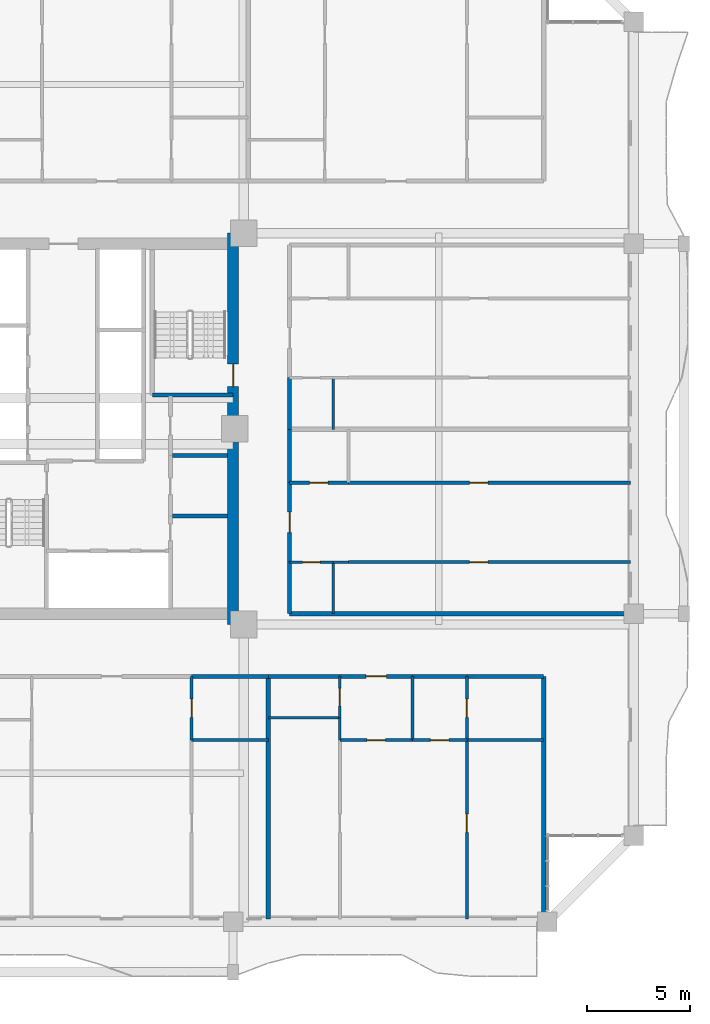
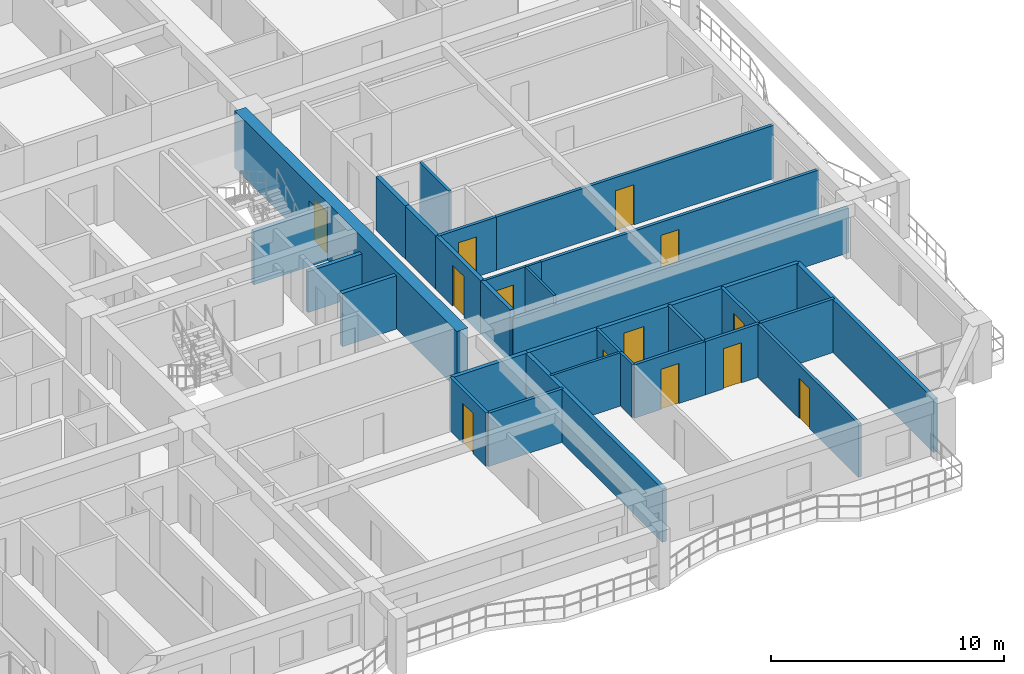
# One storey, part 17 of 25: 34 walls, 13 doors, 13 openings.
"""IFC4 building model written with IfcOpenShell, lengths in metres."""

from ifc_helpers import new_model, si_unit, direction, frame, frame_2d, origin, place, context, subcontext, project, spatial, rectangle, extrude, source, transform, mapped, material, layer, layer_set, type_object, element, fill, save


model = new_model("IFC4")

# Units and contexts
model_context = context("Model", 3, precision=1e-05, world=origin(), true_north=direction((0.0, 1.0)))
body_context = subcontext(model_context, "Body", "Model", "MODEL_VIEW")
ifc_project = project(units=[si_unit("LENGTHUNIT", "METRE"), si_unit("AREAUNIT", "SQUARE_METRE"), si_unit("VOLUMEUNIT", "CUBIC_METRE"), si_unit("PLANEANGLEUNIT", "RADIAN"), si_unit("MASSUNIT", "GRAM", prefix="KILO")], contexts=[model_context])

# Site, building, storey
site_placement = place(None, origin())
site = spatial("IfcSite", under=ifc_project, at=site_placement, CompositionType="ELEMENT")
building_placement = place(site_placement, origin())
building = spatial("IfcBuilding", under=site, at=building_placement, Name="Saelheon Loggia Tower", CompositionType="ELEMENT")
storey_placement = place(building_placement, frame((0.0, 0.0, 80.85009765625)))
storey = spatial("IfcBuildingStorey", under=building, at=storey_placement, Name="L25", CompositionType="ELEMENT", Elevation=80.85009765625)

# Wall, opening, door
ifc_material_1 = material(Name="Concrete C50/60", Category="concrete")
ifc_layer_1 = layer(ifc_material_1, 0.550048828125)
ifc_layer_set_1 = layer_set([ifc_layer_1], Name="Concrete C50/60")
wall_type_1 = type_object("IfcWallType", Name="Wall_CoreShear_550", PredefinedType="SHEAR", material=ifc_layer_set_1)
wall_1_placement = place(storey_placement, frame((44.5, 17.47998046875, 0.0), z_axis=(0.0, 0.0, 1.0), x_axis=(0.0, 1.0, 0.0)))
wall_1 = element("IfcWall", 1, at=wall_1_placement, inside=storey, type_object=wall_type_1, Name="L25 Core Shear Wall East", PredefinedType="SHEAR", context=body_context, shape_type="SweptSolid", body=[
    extrude(rectangle(XDim=19.0400390625, YDim=0.550048828125, at=frame_2d((9.52001953125, 0.0))), origin(), (0.0, 0.0, 1.0), 3.0),
])
opening_1_placement = place(wall_1_placement, frame((12.670166015625, 0.0, 0.0), z_axis=(0.0, 0.0, 1.0), x_axis=(-1.0, 0.0, 0.0)))
opening_1 = element("IfcOpeningElement", 2, at=opening_1_placement, cuts=wall_1, Name="Opening D-FD2", PredefinedType="OPENING", context=body_context, shape_type="SweptSolid", body=[
    extrude(rectangle(XDim=1.10009765625, YDim=2.14990234375, at=frame_2d((0.550048828125, 1.074951171875))), frame((0.0, 0.287109375, 0.0), z_axis=(0.0, -1.0, 0.0), x_axis=(1.0, 0.0, 0.0)), (0.0, 0.0, 1.0), 0.573974609375),
])
ifc_material_2 = material(Name="Galvanised Steel Fire Door", Category="steel")
door_type_1 = type_object("IfcDoorType", Name="Door_Fire_FD60_1100", OperationType="NOTDEFINED", PredefinedType="DOOR", material=ifc_material_2)
shared_shape_1 = source(origin(), body_context, "Body", "SweptSolid", [
    extrude(rectangle(XDim=1.10009765625, YDim=2.14990234375, at=frame_2d((0.550048828125, 1.074951171875))), frame((0.0, 0.02490234375, 0.0), z_axis=(0.0, -1.0, 0.0), x_axis=(1.0, 0.0, 0.0)), (0.0, 0.0, 1.0), 0.050048828125),
])
door_1_placement = place(opening_1_placement, origin())
door_1 = element("IfcDoor", 3, at=door_1_placement, inside=storey, type_object=door_type_1, Name="L25 Stair ST2 Corridor Door", OperationType="SINGLE_SWING_RIGHT", OverallHeight=2.14990234375, OverallWidth=1.10009765625, PredefinedType="DOOR", context=body_context, shape_type="MappedRepresentation", body=[
    mapped(shared_shape_1, transform((0.0, 0.0, 0.0), scale=1.0)),
])
fill(opening_1, door_1)

# Wall
ifc_material_3 = material(Name="Lightweight Autoclaved Aerated Concrete Block and Acoustic Gypsum", Category="concrete")
ifc_layer_2 = layer(ifc_material_3, 0.14990234375)
ifc_layer_set_2 = layer_set([ifc_layer_2], Name="Lightweight Autoclaved Aerated Concrete Block and Acoustic Gypsum")
wall_type_2 = type_object("IfcWallType", Name="Wall_Part_150", PredefinedType="PARTITIONING", material=ifc_layer_set_2)
wall_2_placement = place(storey_placement, frame((42.47998046875, 11.85009765625, 0.0), z_axis=(0.0, 0.0, 1.0), x_axis=(1.0, 0.0, 0.0)))
element("IfcWall", 4, at=wall_2_placement, inside=storey, type_object=wall_type_2, Name="L25 S Partition V29", PredefinedType="PARTITIONING", context=body_context, shape_type="SweptSolid", body=[
    extrude(rectangle(XDim=3.735595703125, YDim=0.14990234375, at=frame_2d((1.86767578125, 0.0))), origin(), (0.0, 0.0, 1.0), 2.789794921875),
])

# Wall, opening, door
wall_3_placement = place(storey_placement, frame((42.47998046875, 14.949951171875, 0.0), z_axis=(0.0, 0.0, 1.0), x_axis=(0.0, -1.0, 0.0)))
wall_3 = element("IfcWall", 5, at=wall_3_placement, inside=storey, type_object=wall_type_2, Name="L25 S Partition U33", PredefinedType="PARTITIONING", context=body_context, shape_type="SweptSolid", body=[
    extrude(rectangle(XDim=3.099853515625, YDim=0.14990234375, at=frame_2d((1.5498046875, 0.0))), origin(), (0.0, 0.0, 1.0), 2.789794921875),
])
opening_2_placement = place(wall_3_placement, frame((1.10009765625, 0.0, 0.0)))
opening_2 = element("IfcOpeningElement", 6, at=opening_2_placement, cuts=wall_3, Name="Opening D-IN2", PredefinedType="OPENING", context=body_context, shape_type="SweptSolid", body=[
    extrude(rectangle(XDim=0.89990234375, YDim=2.10009765625, at=frame_2d((0.449951171875, 1.050048828125))), frame((0.0, 0.0869140625, 0.0), z_axis=(0.0, -1.0, 0.0), x_axis=(1.0, 0.0, 0.0)), (0.0, 0.0, 1.0), 0.173828125),
])
ifc_material_4 = material(Name="Engineered Oak Flush Door", Category="timber")
door_type_2 = type_object("IfcDoorType", Name="Door_Int_900", OperationType="NOTDEFINED", PredefinedType="DOOR", material=ifc_material_4)
shared_shape_2 = source(origin(), body_context, "Body", "SweptSolid", [
    extrude(rectangle(XDim=0.89990234375, YDim=2.10009765625, at=frame_2d((0.449951171875, 1.050048828125))), frame((0.0, 0.02490234375, 0.0), z_axis=(0.0, -1.0, 0.0), x_axis=(1.0, 0.0, 0.0)), (0.0, 0.0, 1.0), 0.050048828125),
])
door_2_placement = place(opening_2_placement, origin())
door_2 = element("IfcDoor", 7, at=door_2_placement, inside=storey, type_object=door_type_2, Name="Unit U03 Private Study Door", OperationType="SINGLE_SWING_RIGHT", OverallHeight=2.10009765625, OverallWidth=0.89990234375, PredefinedType="DOOR", context=body_context, shape_type="MappedRepresentation", body=[
    mapped(shared_shape_2, transform((0.0, 0.0, 0.0), scale=1.0)),
])
fill(opening_2, door_2)

# Wall
wall_4_placement = place(storey_placement, frame((53.234375, 14.949951171875, 0.0), z_axis=(0.0, 0.0, 1.0), x_axis=(0.0, -1.0, 0.0)))
element("IfcWall", 8, at=wall_4_placement, inside=storey, type_object=wall_type_2, Name="L25 S Partition U39", PredefinedType="PARTITIONING", context=body_context, shape_type="SweptSolid", body=[
    extrude(rectangle(XDim=3.099853515625, YDim=0.14990234375, at=frame_2d((1.5498046875, 0.0))), origin(), (0.0, 0.0, 1.0), 2.789794921875),
])

# Wall, opening, door
wall_5_placement = place(storey_placement, frame((49.70068359375, 11.85009765625, 0.0), z_axis=(0.0, 0.0, 1.0), x_axis=(1.0, 0.0, 0.0)))
wall_5 = element("IfcWall", 9, at=wall_5_placement, inside=storey, type_object=wall_type_2, Name="L25 S Partition V40", PredefinedType="PARTITIONING", context=body_context, shape_type="SweptSolid", body=[
    extrude(rectangle(XDim=3.53369140625, YDim=0.14990234375, at=frame_2d((1.766845703125, 0.0))), origin(), (0.0, 0.0, 1.0), 2.789794921875),
])
opening_3_placement = place(wall_5_placement, frame((1.31689453125, 0.0, 0.0)))
opening_3 = element("IfcOpeningElement", 10, at=opening_3_placement, cuts=wall_5, Name="Opening D-IN2", PredefinedType="OPENING", context=body_context, shape_type="SweptSolid", body=[
    extrude(rectangle(XDim=0.89990234375, YDim=2.10009765625, at=frame_2d((0.449951171875, 1.050048828125))), frame((0.0, 0.0869140625, 0.0), z_axis=(0.0, -1.0, 0.0), x_axis=(1.0, 0.0, 0.0)), (0.0, 0.0, 1.0), 0.173828125),
])
door_3_placement = place(opening_3_placement, origin())
door_3 = element("IfcDoor", 11, at=door_3_placement, inside=storey, type_object=door_type_2, Name="Unit U04 Living Door", OperationType="SINGLE_SWING_LEFT", OverallHeight=2.10009765625, OverallWidth=0.89990234375, PredefinedType="DOOR", context=body_context, shape_type="MappedRepresentation", body=[
    mapped(shared_shape_2, transform((0.0, 0.0, 0.0), scale=1.0)),
])
fill(opening_3, door_3)

wall_6_placement = place(storey_placement, frame((53.234375, 11.85009765625, 0.0), z_axis=(0.0, 0.0, 1.0), x_axis=(1.0, 0.0, 0.0)))
wall_6 = element("IfcWall", 12, at=wall_6_placement, inside=storey, type_object=wall_type_2, Name="L25 S Partition V41", PredefinedType="PARTITIONING", context=body_context, shape_type="SweptSolid", body=[
    extrude(rectangle(XDim=2.650146484375, YDim=0.14990234375, at=frame_2d((1.3251953125, 0.0))), origin(), (0.0, 0.0, 1.0), 2.789794921875),
])
opening_4_placement = place(wall_6_placement, frame((0.875, 0.0, 0.0)))
opening_4 = element("IfcOpeningElement", 13, at=opening_4_placement, cuts=wall_6, Name="Opening D-IN2", PredefinedType="OPENING", context=body_context, shape_type="SweptSolid", body=[
    extrude(rectangle(XDim=0.89990234375, YDim=2.10009765625, at=frame_2d((0.449951171875, 1.050048828125))), frame((0.0, 0.0869140625, 0.0), z_axis=(0.0, -1.0, 0.0), x_axis=(1.0, 0.0, 0.0)), (0.0, 0.0, 1.0), 0.173828125),
])
door_4_placement = place(opening_4_placement, origin())
door_4 = element("IfcDoor", 14, at=door_4_placement, inside=storey, type_object=door_type_2, Name="Unit U04 Private Study Door", OperationType="SINGLE_SWING_RIGHT", OverallHeight=2.10009765625, OverallWidth=0.89990234375, PredefinedType="DOOR", context=body_context, shape_type="MappedRepresentation", body=[
    mapped(shared_shape_2, transform((0.0, 0.0, 0.0), scale=1.0)),
])
fill(opening_4, door_4)

# Wall
wall_7_placement = place(storey_placement, frame((55.884521484375, 11.85009765625, 0.0), z_axis=(0.0, 0.0, 1.0), x_axis=(1.0, 0.0, 0.0)))
element("IfcWall", 15, at=wall_7_placement, inside=storey, type_object=wall_type_2, Name="L25 S Partition V44", PredefinedType="PARTITIONING", context=body_context, shape_type="SweptSolid", body=[
    extrude(rectangle(XDim=3.735595703125, YDim=0.14990234375, at=frame_2d((1.86767578125, 0.0))), origin(), (0.0, 0.0, 1.0), 2.789794921875),
])

# Wall, opening, door
wall_8_placement = place(storey_placement, frame((55.884521484375, 14.949951171875, 0.0), z_axis=(0.0, 0.0, 1.0), x_axis=(0.0, -1.0, 0.0)))
wall_8 = element("IfcWall", 16, at=wall_8_placement, inside=storey, type_object=wall_type_2, Name="L25 S Partition U48", PredefinedType="PARTITIONING", context=body_context, shape_type="SweptSolid", body=[
    extrude(rectangle(XDim=3.099853515625, YDim=0.14990234375, at=frame_2d((1.5498046875, 0.0))), origin(), (0.0, 0.0, 1.0), 2.789794921875),
])
opening_5_placement = place(wall_8_placement, frame((1.10009765625, 0.0, 0.0)))
opening_5 = element("IfcOpeningElement", 17, at=opening_5_placement, cuts=wall_8, Name="Opening D-IN2", PredefinedType="OPENING", context=body_context, shape_type="SweptSolid", body=[
    extrude(rectangle(XDim=0.89990234375, YDim=2.10009765625, at=frame_2d((0.449951171875, 1.050048828125))), frame((0.0, 0.0869140625, 0.0), z_axis=(0.0, -1.0, 0.0), x_axis=(1.0, 0.0, 0.0)), (0.0, 0.0, 1.0), 0.173828125),
])
door_5_placement = place(opening_5_placement, origin())
door_5 = element("IfcDoor", 18, at=door_5_placement, inside=storey, type_object=door_type_2, Name="Unit U04 Kitchen Door", OperationType="SINGLE_SWING_LEFT", OverallHeight=2.10009765625, OverallWidth=0.89990234375, PredefinedType="DOOR", context=body_context, shape_type="MappedRepresentation", body=[
    mapped(shared_shape_2, transform((0.0, 0.0, 0.0), scale=1.0)),
])
fill(opening_5, door_5)

wall_9_placement = place(storey_placement, frame((55.884521484375, 11.85009765625, 0.0), z_axis=(0.0, 0.0, 1.0), x_axis=(0.0, -1.0, 0.0)))
wall_9 = element("IfcWall", 19, at=wall_9_placement, inside=storey, type_object=wall_type_2, Name="L25 S Partition U49", PredefinedType="PARTITIONING", context=body_context, shape_type="SweptSolid", body=[
    extrude(rectangle(XDim=8.7001953125, YDim=0.14990234375, at=frame_2d((4.35009765625, 0.0))), origin(), (0.0, 0.0, 1.0), 2.789794921875),
])
opening_6_placement = place(wall_9_placement, frame((3.594970703125, 0.0, 0.0)))
opening_6 = element("IfcOpeningElement", 20, at=opening_6_placement, cuts=wall_9, Name="Opening D-IN2", PredefinedType="OPENING", context=body_context, shape_type="SweptSolid", body=[
    extrude(rectangle(XDim=0.89990234375, YDim=2.10009765625, at=frame_2d((0.449951171875, 1.050048828125))), frame((0.0, 0.0869140625, 0.0), z_axis=(0.0, -1.0, 0.0), x_axis=(1.0, 0.0, 0.0)), (0.0, 0.0, 1.0), 0.173828125),
])
door_6_placement = place(opening_6_placement, origin())
door_6 = element("IfcDoor", 21, at=door_6_placement, inside=storey, type_object=door_type_2, Name="Unit U04 Bedroom 1 Door", OperationType="SINGLE_SWING_RIGHT", OverallHeight=2.10009765625, OverallWidth=0.89990234375, PredefinedType="DOOR", context=body_context, shape_type="MappedRepresentation", body=[
    mapped(shared_shape_2, transform((0.0, 0.0, 0.0), scale=1.0)),
])
fill(opening_6, door_6)

wall_10_placement = place(storey_placement, frame((50.110107421875, 20.512939453125, 0.0), z_axis=(0.0, 0.0, 1.0), x_axis=(1.0, 0.0, 0.0)))
wall_10 = element("IfcWall", 22, at=wall_10_placement, inside=storey, type_object=wall_type_2, Name="L25 E Partition U10", PredefinedType="PARTITIONING", context=body_context, shape_type="SweptSolid", body=[
    extrude(rectangle(XDim=13.739990234375, YDim=0.14990234375, at=frame_2d((6.8701171875, 0.0))), origin(), (0.0, 0.0, 1.0), 2.789794921875),
])
opening_7_placement = place(wall_10_placement, frame((5.905029296875, 0.0, 0.0)))
opening_7 = element("IfcOpeningElement", 23, at=opening_7_placement, cuts=wall_10, Name="Opening D-IN2", PredefinedType="OPENING", context=body_context, shape_type="SweptSolid", body=[
    extrude(rectangle(XDim=0.89990234375, YDim=2.10009765625, at=frame_2d((0.449951171875, 1.050048828125))), frame((0.0, 0.0869140625, 0.0), z_axis=(0.0, -1.0, 0.0), x_axis=(1.0, 0.0, 0.0)), (0.0, 0.0, 1.0), 0.173828125),
])
door_7_placement = place(opening_7_placement, origin())
door_7 = element("IfcDoor", 24, at=door_7_placement, inside=storey, type_object=door_type_2, Name="Unit U10 Kitchen Door", OperationType="SINGLE_SWING_LEFT", OverallHeight=2.10009765625, OverallWidth=0.89990234375, PredefinedType="DOOR", context=body_context, shape_type="MappedRepresentation", body=[
    mapped(shared_shape_2, transform((0.0, 0.0, 0.0), scale=1.0)),
])
fill(opening_7, door_7)

wall_11_placement = place(storey_placement, frame((47.25, 24.375, 0.0), z_axis=(0.0, 0.0, 1.0), x_axis=(1.0, 0.0, 0.0)))
wall_11 = element("IfcWall", 25, at=wall_11_placement, inside=storey, type_object=wall_type_2, Name="L25 E Partition U11", PredefinedType="PARTITIONING", context=body_context, shape_type="SweptSolid", body=[
    extrude(rectangle(XDim=2.860107421875, YDim=0.14990234375, at=frame_2d((1.43017578125, 0.0))), origin(), (0.0, 0.0, 1.0), 2.789794921875),
])
opening_8_placement = place(wall_11_placement, frame((0.97998046875, 0.0, 0.0)))
opening_8 = element("IfcOpeningElement", 26, at=opening_8_placement, cuts=wall_11, Name="Opening D-IN2", PredefinedType="OPENING", context=body_context, shape_type="SweptSolid", body=[
    extrude(rectangle(XDim=0.89990234375, YDim=2.10009765625, at=frame_2d((0.449951171875, 1.050048828125))), frame((0.0, 0.0869140625, 0.0), z_axis=(0.0, -1.0, 0.0), x_axis=(1.0, 0.0, 0.0)), (0.0, 0.0, 1.0), 0.173828125),
])
door_8_placement = place(opening_8_placement, origin())
door_8 = element("IfcDoor", 27, at=door_8_placement, inside=storey, type_object=door_type_2, Name="Unit U10 Dressing Closet Door", OperationType="SINGLE_SWING_RIGHT", OverallHeight=2.10009765625, OverallWidth=0.89990234375, PredefinedType="DOOR", context=body_context, shape_type="MappedRepresentation", body=[
    mapped(shared_shape_2, transform((0.0, 0.0, 0.0), scale=1.0)),
])
fill(opening_8, door_8)

wall_12_placement = place(storey_placement, frame((50.110107421875, 24.375, 0.0), z_axis=(0.0, 0.0, 1.0), x_axis=(1.0, 0.0, 0.0)))
wall_12 = element("IfcWall", 28, at=wall_12_placement, inside=storey, type_object=wall_type_2, Name="L25 E Partition U12", PredefinedType="PARTITIONING", context=body_context, shape_type="SweptSolid", body=[
    extrude(rectangle(XDim=13.739990234375, YDim=0.14990234375, at=frame_2d((6.8701171875, 0.0))), origin(), (0.0, 0.0, 1.0), 2.789794921875),
])
opening_9_placement = place(wall_12_placement, frame((5.905029296875, 0.0, 0.0)))
opening_9 = element("IfcOpeningElement", 29, at=opening_9_placement, cuts=wall_12, Name="Opening D-IN2", PredefinedType="OPENING", context=body_context, shape_type="SweptSolid", body=[
    extrude(rectangle(XDim=0.89990234375, YDim=2.10009765625, at=frame_2d((0.449951171875, 1.050048828125))), frame((0.0, 0.0869140625, 0.0), z_axis=(0.0, -1.0, 0.0), x_axis=(1.0, 0.0, 0.0)), (0.0, 0.0, 1.0), 0.173828125),
])
door_9_placement = place(opening_9_placement, origin())
door_9 = element("IfcDoor", 30, at=door_9_placement, inside=storey, type_object=door_type_2, Name="Unit U10 Bedroom 1 Door", OperationType="SINGLE_SWING_LEFT", OverallHeight=2.10009765625, OverallWidth=0.89990234375, PredefinedType="DOOR", context=body_context, shape_type="MappedRepresentation", body=[
    mapped(shared_shape_2, transform((0.0, 0.0, 0.0), scale=1.0)),
])
fill(opening_9, door_9)

# Walls
ifc_material_5 = material(Name="Double Acoustic Stud and Fireboard Partition", Category="gypsum")
ifc_layer_3 = layer(ifc_material_5, 0.199951171875)
ifc_layer_set_3 = layer_set([ifc_layer_3], Name="Double Acoustic Stud and Fireboard Partition")
wall_type_3 = type_object("IfcWallType", Name="Wall_Party_200", PredefinedType="PARTITIONING", material=ifc_layer_set_3)
wall_13_placement = place(storey_placement, frame((59.6201171875, 14.949951171875, 0.0), z_axis=(0.0, 0.0, 1.0), x_axis=(0.0, -1.0, 0.0)))
element("IfcWall", 31, at=wall_13_placement, inside=storey, type_object=wall_type_3, Name="L25 S Partition U02", PredefinedType="PARTITIONING", context=body_context, shape_type="SweptSolid", body=[
    extrude(rectangle(XDim=11.800048828125, YDim=0.199951171875, at=frame_2d((5.89990234375, 0.0))), origin(), (0.0, 0.0, 1.0), 2.789794921875),
])
wall_14_placement = place(storey_placement, frame((42.47998046875, 14.949951171875, 0.0), z_axis=(0.0, 0.0, 1.0), x_axis=(1.0, 0.0, 0.0)))
element("IfcWall", 32, at=wall_14_placement, inside=storey, type_object=wall_type_3, Name="L25 S Partition V27", PredefinedType="PARTITIONING", context=body_context, shape_type="SweptSolid", body=[
    extrude(rectangle(XDim=3.735595703125, YDim=0.199951171875, at=frame_2d((1.86767578125, 0.0))), origin(), (0.0, 0.0, 1.0), 2.789794921875),
])
wall_15_placement = place(storey_placement, frame((46.215576171875, 14.949951171875, 0.0), z_axis=(0.0, 0.0, 1.0), x_axis=(0.0, -1.0, 0.0)))
element("IfcWall", 33, at=wall_15_placement, inside=storey, type_object=wall_type_3, Name="L25 S Partition U35", PredefinedType="PARTITIONING", context=body_context, shape_type="SweptSolid", body=[
    extrude(rectangle(XDim=11.800048828125, YDim=0.199951171875, at=frame_2d((5.89990234375, 0.0))), origin(), (0.0, 0.0, 1.0), 2.789794921875),
])
wall_16_placement = place(storey_placement, frame((46.215576171875, 14.949951171875, 0.0), z_axis=(0.0, 0.0, 1.0), x_axis=(1.0, 0.0, 0.0)))
element("IfcWall", 34, at=wall_16_placement, inside=storey, type_object=wall_type_3, Name="L25 S Partition V36", PredefinedType="PARTITIONING", context=body_context, shape_type="SweptSolid", body=[
    extrude(rectangle(XDim=3.485107421875, YDim=0.199951171875, at=frame_2d((1.74267578125, 0.0))), origin(), (0.0, 0.0, 1.0), 2.789794921875),
])

# Wall, opening, door
wall_17_placement = place(storey_placement, frame((49.70068359375, 14.949951171875, 0.0), z_axis=(0.0, 0.0, 1.0), x_axis=(1.0, 0.0, 0.0)))
wall_17 = element("IfcWall", 35, at=wall_17_placement, inside=storey, type_object=wall_type_3, Name="L25 S Partition V37", PredefinedType="PARTITIONING", context=body_context, shape_type="SweptSolid", body=[
    extrude(rectangle(XDim=3.53369140625, YDim=0.199951171875, at=frame_2d((1.766845703125, 0.0))), origin(), (0.0, 0.0, 1.0), 2.789794921875),
])
opening_10_placement = place(wall_17_placement, frame((1.266845703125, 0.0, 0.0)))
opening_10 = element("IfcOpeningElement", 36, at=opening_10_placement, cuts=wall_17, Name="Opening D-FD1", PredefinedType="OPENING", context=body_context, shape_type="SweptSolid", body=[
    extrude(rectangle(XDim=1.0, YDim=2.14990234375, at=frame_2d((0.5, 1.074951171875))), frame((0.0, 0.112060546875, 0.0), z_axis=(0.0, -1.0, 0.0), x_axis=(1.0, 0.0, 0.0)), (0.0, 0.0, 1.0), 0.223876953125),
])
ifc_material_6 = material(Name="Fire-Rated Engineered Timber Entrance Door", Category="wood")
door_type_3 = type_object("IfcDoorType", Name="Door_Flat_FD30S", OperationType="NOTDEFINED", PredefinedType="DOOR", material=ifc_material_6)
shared_shape_3 = source(origin(), body_context, "Body", "SweptSolid", [
    extrude(rectangle(XDim=1.0, YDim=2.14990234375, at=frame_2d((0.5, 1.074951171875))), frame((0.0, 0.02490234375, 0.0), z_axis=(0.0, -1.0, 0.0), x_axis=(1.0, 0.0, 0.0)), (0.0, 0.0, 1.0), 0.050048828125),
])
door_10_placement = place(opening_10_placement, origin())
door_10 = element("IfcDoor", 37, at=door_10_placement, inside=storey, type_object=door_type_3, Name="Unit U04 Entrance Door", OperationType="SINGLE_SWING_RIGHT", OverallHeight=2.14990234375, OverallWidth=1.0, PredefinedType="DOOR", context=body_context, shape_type="MappedRepresentation", body=[
    mapped(shared_shape_3, transform((0.0, 0.0, 0.0), scale=1.0)),
])
fill(opening_10, door_10)

# Walls
wall_18_placement = place(storey_placement, frame((53.234375, 14.949951171875, 0.0), z_axis=(0.0, 0.0, 1.0), x_axis=(1.0, 0.0, 0.0)))
element("IfcWall", 38, at=wall_18_placement, inside=storey, type_object=wall_type_3, Name="L25 S Partition V38", PredefinedType="PARTITIONING", context=body_context, shape_type="SweptSolid", body=[
    extrude(rectangle(XDim=2.650146484375, YDim=0.199951171875, at=frame_2d((1.3251953125, 0.0))), origin(), (0.0, 0.0, 1.0), 2.789794921875),
])
wall_19_placement = place(storey_placement, frame((55.884521484375, 14.949951171875, 0.0), z_axis=(0.0, 0.0, 1.0), x_axis=(1.0, 0.0, 0.0)))
element("IfcWall", 39, at=wall_19_placement, inside=storey, type_object=wall_type_3, Name="L25 S Partition V42", PredefinedType="PARTITIONING", context=body_context, shape_type="SweptSolid", body=[
    extrude(rectangle(XDim=3.735595703125, YDim=0.199951171875, at=frame_2d((1.86767578125, 0.0))), origin(), (0.0, 0.0, 1.0), 2.789794921875),
])
wall_20_placement = place(storey_placement, frame((47.25, 18.0, 0.0), z_axis=(0.0, 0.0, 1.0), x_axis=(1.0, 0.0, 0.0)))
element("IfcWall", 40, at=wall_20_placement, inside=storey, type_object=wall_type_3, Name="L25 E Partition U01", PredefinedType="PARTITIONING", context=body_context, shape_type="SweptSolid", body=[
    extrude(rectangle(XDim=16.60009765625, YDim=0.199951171875, at=frame_2d((8.300048828125, 0.0))), origin(), (0.0, 0.0, 1.0), 2.33984375),
])
wall_21_placement = place(storey_placement, frame((47.25, 18.0, 0.0), z_axis=(0.0, 0.0, 1.0), x_axis=(0.0, 1.0, 0.0)))
element("IfcWall", 41, at=wall_21_placement, inside=storey, type_object=wall_type_3, Name="L25 E Partition V03", PredefinedType="PARTITIONING", context=body_context, shape_type="SweptSolid", body=[
    extrude(rectangle(XDim=2.512939453125, YDim=0.199951171875, at=frame_2d((1.25634765625, 0.0))), origin(), (0.0, 0.0, 1.0), 2.789794921875),
])

# Wall, opening, door
wall_22_placement = place(storey_placement, frame((47.25, 20.512939453125, 0.0), z_axis=(0.0, 0.0, 1.0), x_axis=(0.0, 1.0, 0.0)))
wall_22 = element("IfcWall", 42, at=wall_22_placement, inside=storey, type_object=wall_type_3, Name="L25 E Partition V04", PredefinedType="PARTITIONING", context=body_context, shape_type="SweptSolid", body=[
    extrude(rectangle(XDim=3.862060546875, YDim=0.199951171875, at=frame_2d((1.93115234375, 0.0))), origin(), (0.0, 0.0, 1.0), 2.789794921875),
])
opening_11_placement = place(wall_22_placement, frame((1.430908203125, 0.0, 0.0)))
opening_11 = element("IfcOpeningElement", 43, at=opening_11_placement, cuts=wall_22, Name="Opening D-FD1", PredefinedType="OPENING", context=body_context, shape_type="SweptSolid", body=[
    extrude(rectangle(XDim=1.0, YDim=2.14990234375, at=frame_2d((0.5, 1.074951171875))), frame((0.0, 0.112060546875, 0.0), z_axis=(0.0, -1.0, 0.0), x_axis=(1.0, 0.0, 0.0)), (0.0, 0.0, 1.0), 0.223876953125),
])
door_11_placement = place(opening_11_placement, origin())
door_11 = element("IfcDoor", 44, at=door_11_placement, inside=storey, type_object=door_type_3, Name="Unit U10 Entrance Door", OperationType="SINGLE_SWING_LEFT", OverallHeight=2.14990234375, OverallWidth=1.0, PredefinedType="DOOR", context=body_context, shape_type="MappedRepresentation", body=[
    mapped(shared_shape_3, transform((0.0, 0.0, 0.0), scale=1.0)),
])
fill(opening_11, door_11)

# Walls
wall_23_placement = place(storey_placement, frame((47.25, 24.375, 0.0), z_axis=(0.0, 0.0, 1.0), x_axis=(0.0, 1.0, 0.0)))
element("IfcWall", 45, at=wall_23_placement, inside=storey, type_object=wall_type_3, Name="L25 E Partition V05", PredefinedType="PARTITIONING", context=body_context, shape_type="SweptSolid", body=[
    extrude(rectangle(XDim=2.60009765625, YDim=0.199951171875, at=frame_2d((1.300048828125, 0.0))), origin(), (0.0, 0.0, 1.0), 2.789794921875),
])
wall_24_placement = place(storey_placement, frame((47.25, 26.97509765625, 0.0), z_axis=(0.0, 0.0, 1.0), x_axis=(0.0, 1.0, 0.0)))
element("IfcWall", 46, at=wall_24_placement, inside=storey, type_object=wall_type_3, Name="L25 E Partition V14", PredefinedType="PARTITIONING", context=body_context, shape_type="SweptSolid", body=[
    extrude(rectangle(XDim=2.512939453125, YDim=0.199951171875, at=frame_2d((1.25634765625, 0.0))), origin(), (0.0, 0.0, 1.0), 2.789794921875),
])
ifc_material_7 = material(Name="Concrete C40/50", Category="concrete")
ifc_layer_4 = layer(ifc_material_7, 0.199951171875)
ifc_layer_set_4 = layer_set([ifc_layer_4], Name="Concrete C40/50")
wall_type_4 = type_object("IfcWallType", Name="Wall_Shaft_200", PredefinedType="PARTITIONING", material=ifc_layer_set_4)
wall_25_placement = place(storey_placement, frame((41.550048828125, 22.75, 0.0), z_axis=(0.0, 0.0, 1.0), x_axis=(1.0, 0.0, 0.0)))
element("IfcWall", 47, at=wall_25_placement, inside=storey, type_object=wall_type_4, Name="CW-BOH-L25-H1", PredefinedType="PARTITIONING", context=body_context, shape_type="SweptSolid", body=[
    extrude(rectangle(XDim=2.669921875, YDim=0.199951171875, at=frame_2d((1.3349609375, 0.0))), origin(), (0.0, 0.0, 1.0), 2.789794921875),
])
wall_26_placement = place(storey_placement, frame((41.550048828125, 25.699951171875, 0.0), z_axis=(0.0, 0.0, 1.0), x_axis=(1.0, 0.0, 0.0)))
element("IfcWall", 48, at=wall_26_placement, inside=storey, type_object=wall_type_4, Name="CW-BOH-L25-H2", PredefinedType="PARTITIONING", context=body_context, shape_type="SweptSolid", body=[
    extrude(rectangle(XDim=2.669921875, YDim=0.199951171875, at=frame_2d((1.3349609375, 0.0))), origin(), (0.0, 0.0, 1.0), 2.139892578125),
])
ifc_material_8 = material(Name="Concrete C45/55", Category="concrete")
ifc_layer_5 = layer(ifc_material_8, 0.199951171875)
ifc_layer_set_5 = layer_set([ifc_layer_5], Name="Concrete C45/55")
wall_type_5 = type_object("IfcWallType", Name="Wall_StairShaft_RC200", PredefinedType="SOLIDWALL", material=ifc_layer_set_5)
wall_27_placement = place(storey_placement, frame((40.570068359375, 28.64990234375, 0.0), z_axis=(0.0, 0.0, 1.0), x_axis=(1.0, 0.0, 0.0)))
element("IfcWall", 49, at=wall_27_placement, inside=storey, type_object=wall_type_5, Name="L25 Stair ST2 South Wall", PredefinedType="SOLIDWALL", context=body_context, shape_type="SweptSolid", body=[
    extrude(rectangle(XDim=3.929931640625, YDim=0.199951171875, at=frame_2d((1.96484375, 0.0))), origin(), (0.0, 0.0, 1.0), 2.789794921875),
])
ifc_material_9 = material(Name="Moisture-Resistant Cement Board Partition", Category="gypsum")
ifc_layer_6 = layer(ifc_material_9, 0.1201171875)
ifc_layer_set_6 = layer_set([ifc_layer_6], Name="Moisture-Resistant Cement Board Partition")
wall_type_6 = type_object("IfcWallType", Name="Wall_WetPart_120", PredefinedType="PARTITIONING", material=ifc_layer_set_6)
wall_28_placement = place(storey_placement, frame((46.215576171875, 12.929931640625, 0.0), z_axis=(0.0, 0.0, 1.0), x_axis=(1.0, 0.0, 0.0)))
element("IfcWall", 50, at=wall_28_placement, inside=storey, type_object=wall_type_6, Name="L25 S Partition V43", PredefinedType="PARTITIONING", context=body_context, shape_type="SweptSolid", body=[
    extrude(rectangle(XDim=3.485107421875, YDim=0.1201171875, at=frame_2d((1.74267578125, 0.0))), origin(), (0.0, 0.0, 1.0), 2.789794921875),
])

# Wall, opening, door
wall_29_placement = place(storey_placement, frame((49.70068359375, 14.949951171875, 0.0), z_axis=(0.0, 0.0, 1.0), x_axis=(0.0, -1.0, 0.0)))
wall_29 = element("IfcWall", 51, at=wall_29_placement, inside=storey, type_object=wall_type_6, Name="L25 S Partition U45", PredefinedType="PARTITIONING", context=body_context, shape_type="SweptSolid", body=[
    extrude(rectangle(XDim=2.02001953125, YDim=0.1201171875, at=frame_2d((1.010009765625, 0.0))), origin(), (0.0, 0.0, 1.0), 2.789794921875),
])
opening_12_placement = place(wall_29_placement, frame((0.5849609375, 0.0, 0.0)))
opening_12 = element("IfcOpeningElement", 52, at=opening_12_placement, cuts=wall_29, Name="Opening D-BT1", PredefinedType="OPENING", context=body_context, shape_type="SweptSolid", body=[
    extrude(rectangle(XDim=0.85009765625, YDim=2.050048828125, at=frame_2d((0.425048828125, 1.02490234375))), frame((0.0, 0.072021484375, 0.0), z_axis=(0.0, -1.0, 0.0), x_axis=(1.0, 0.0, 0.0)), (0.0, 0.0, 1.0), 0.14404296875),
])
ifc_material_10 = material(Name="Moisture-Resistant Laminate Timber Door", Category="wood")
door_type_4 = type_object("IfcDoorType", Name="Door_Bath_850", OperationType="NOTDEFINED", PredefinedType="DOOR", material=ifc_material_10)
shared_shape_4 = source(origin(), body_context, "Body", "SweptSolid", [
    extrude(rectangle(XDim=0.85009765625, YDim=2.050048828125, at=frame_2d((0.425048828125, 1.02490234375))), frame((0.0, 0.02490234375, 0.0), z_axis=(0.0, -1.0, 0.0), x_axis=(1.0, 0.0, 0.0)), (0.0, 0.0, 1.0), 0.050048828125),
])
door_12_placement = place(opening_12_placement, origin())
door_12 = element("IfcDoor", 53, at=door_12_placement, inside=storey, type_object=door_type_4, Name="Unit U04 Bathroom Door", OperationType="SINGLE_SWING_LEFT", OverallHeight=2.050048828125, OverallWidth=0.85009765625, PredefinedType="DOOR", context=body_context, shape_type="MappedRepresentation", body=[
    mapped(shared_shape_4, transform((0.0, 0.0, 0.0), scale=1.0)),
])
fill(opening_12, door_12)

# Walls
wall_30_placement = place(storey_placement, frame((49.70068359375, 12.929931640625, 0.0), z_axis=(0.0, 0.0, 1.0), x_axis=(0.0, -1.0, 0.0)))
element("IfcWall", 54, at=wall_30_placement, inside=storey, type_object=wall_type_6, Name="L25 S Partition U46", PredefinedType="PARTITIONING", context=body_context, shape_type="SweptSolid", body=[
    extrude(rectangle(XDim=1.079833984375, YDim=0.1201171875, at=frame_2d((0.5400390625, 0.0))), origin(), (0.0, 0.0, 1.0), 2.789794921875),
])
wall_31_placement = place(storey_placement, frame((49.3701171875, 18.0, 0.0), z_axis=(0.0, 0.0, 1.0), x_axis=(0.0, 1.0, 0.0)))
element("IfcWall", 55, at=wall_31_placement, inside=storey, type_object=wall_type_6, Name="L25 E Partition V06", PredefinedType="PARTITIONING", context=body_context, shape_type="SweptSolid", body=[
    extrude(rectangle(XDim=2.512939453125, YDim=0.1201171875, at=frame_2d((1.25634765625, 0.0))), origin(), (0.0, 0.0, 1.0), 2.789794921875),
])

# Wall, opening, door
wall_32_placement = place(storey_placement, frame((47.25, 20.512939453125, 0.0), z_axis=(0.0, 0.0, 1.0), x_axis=(1.0, 0.0, 0.0)))
wall_32 = element("IfcWall", 56, at=wall_32_placement, inside=storey, type_object=wall_type_6, Name="L25 E Partition U08", PredefinedType="PARTITIONING", context=body_context, shape_type="SweptSolid", body=[
    extrude(rectangle(XDim=2.1201171875, YDim=0.1201171875, at=frame_2d((1.06005859375, 0.0))), origin(), (0.0, 0.0, 1.0), 2.789794921875),
])
opening_13_placement = place(wall_32_placement, frame((0.635009765625, 0.0, 0.0)))
opening_13 = element("IfcOpeningElement", 57, at=opening_13_placement, cuts=wall_32, Name="Opening D-BT1", PredefinedType="OPENING", context=body_context, shape_type="SweptSolid", body=[
    extrude(rectangle(XDim=0.85009765625, YDim=2.050048828125, at=frame_2d((0.425048828125, 1.02490234375))), frame((0.0, 0.072021484375, 0.0), z_axis=(0.0, -1.0, 0.0), x_axis=(1.0, 0.0, 0.0)), (0.0, 0.0, 1.0), 0.14404296875),
])
door_13_placement = place(opening_13_placement, origin())
door_13 = element("IfcDoor", 58, at=door_13_placement, inside=storey, type_object=door_type_4, Name="Unit U10 Bathroom Door", OperationType="SINGLE_SWING_RIGHT", OverallHeight=2.050048828125, OverallWidth=0.85009765625, PredefinedType="DOOR", context=body_context, shape_type="MappedRepresentation", body=[
    mapped(shared_shape_4, transform((0.0, 0.0, 0.0), scale=1.0)),
])
fill(opening_13, door_13)

# Walls
wall_33_placement = place(storey_placement, frame((49.3701171875, 20.512939453125, 0.0), z_axis=(0.0, 0.0, 1.0), x_axis=(1.0, 0.0, 0.0)))
element("IfcWall", 59, at=wall_33_placement, inside=storey, type_object=wall_type_6, Name="L25 E Partition U09", PredefinedType="PARTITIONING", context=body_context, shape_type="SweptSolid", body=[
    extrude(rectangle(XDim=0.739990234375, YDim=0.1201171875, at=frame_2d((0.3701171875, 0.0))), origin(), (0.0, 0.0, 1.0), 2.789794921875),
])
wall_34_placement = place(storey_placement, frame((49.3701171875, 26.97509765625, 0.0), z_axis=(0.0, 0.0, 1.0), x_axis=(0.0, 1.0, 0.0)))
element("IfcWall", 60, at=wall_34_placement, inside=storey, type_object=wall_type_6, Name="L25 E Partition V17", PredefinedType="PARTITIONING", context=body_context, shape_type="SweptSolid", body=[
    extrude(rectangle(XDim=2.512939453125, YDim=0.1201171875, at=frame_2d((1.25634765625, 0.0))), origin(), (0.0, 0.0, 1.0), 2.789794921875),
])

save(model, "model.ifc")
